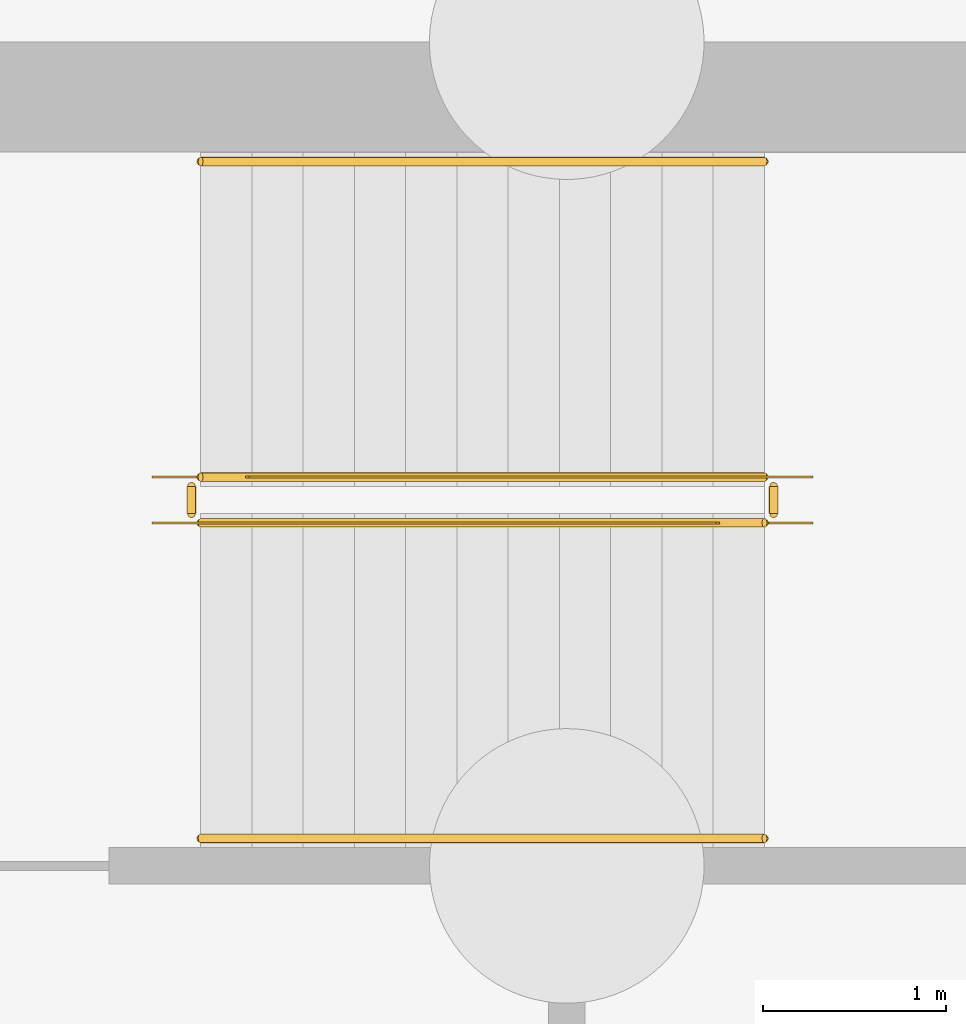
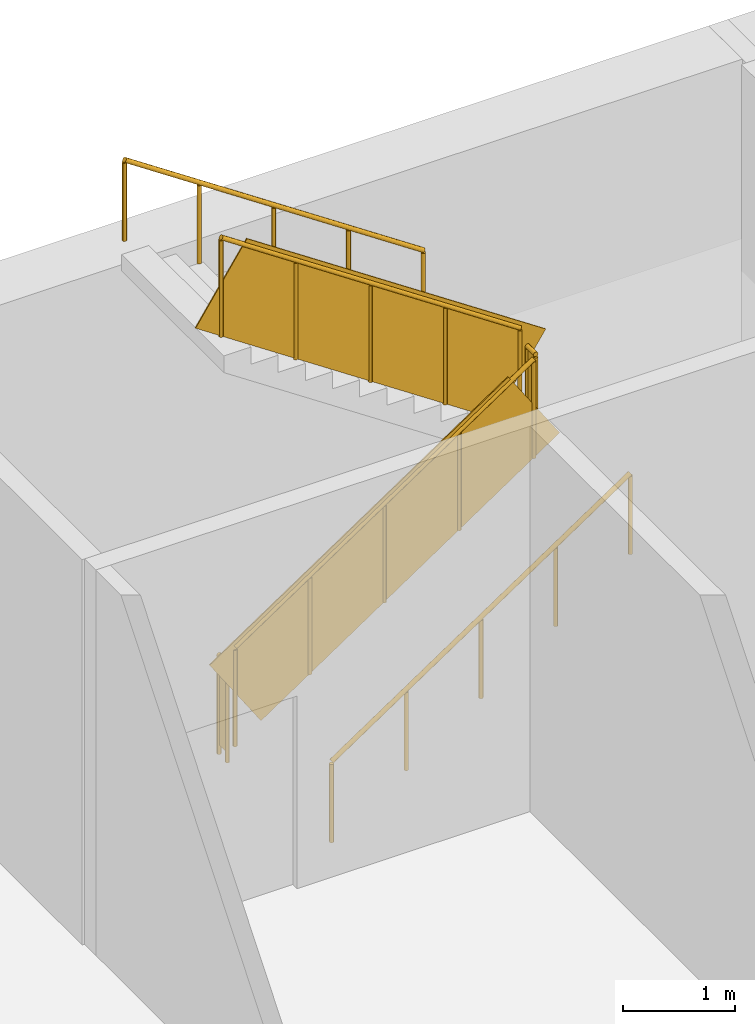
# One storey, part 10 of 12: 6 railings.
"""IFC4 building model written with IfcOpenShell, lengths in metres."""

from ifc_helpers import new_model, si_unit, direction, frame, origin, origin_2d, place, context, subcontext, project, spatial, rectangle, circle, extrude, material, type_object, element, save


model = new_model("IFC4")

# Units and contexts
model_context = context("Model", 3, precision=1e-05, world=origin(), true_north=direction((0.0, 1.0)))
body_context = subcontext(model_context, "Body", "Model", "MODEL_VIEW")
ifc_project = project(units=[si_unit("LENGTHUNIT", "METRE"), si_unit("AREAUNIT", "SQUARE_METRE"), si_unit("VOLUMEUNIT", "CUBIC_METRE"), si_unit("PLANEANGLEUNIT", "RADIAN"), si_unit("MASSUNIT", "GRAM", prefix="KILO")], contexts=[model_context])

# Site, building, storey
site_placement = place(None, origin())
site = spatial("IfcSite", under=ifc_project, at=site_placement, CompositionType="ELEMENT")
building_placement = place(site_placement, origin())
building = spatial("IfcBuilding", under=site, at=building_placement, Name="Dilmun Exchange Tower", CompositionType="ELEMENT")
storey_placement = place(building_placement, frame((0.0, 0.0, -9.0)))
storey = spatial("IfcBuildingStorey", under=building, at=storey_placement, Name="B2", CompositionType="ELEMENT", Elevation=-9.0)

# Railings
ifc_material_1 = material(Name="Guard 1100")
railing_type_1 = type_object("IfcRailingType", Name="Guard 1100", PredefinedType="GUARDRAIL", material=ifc_material_1)
railing_1_placement = place(storey_placement, frame((-24.5, 33.3740234375, 0.1875)))
element("IfcRailing", 1, at=railing_1_placement, inside=storey, type_object=railing_type_1, Name="B2 PS1 stair guard 1", PredefinedType="GUARDRAIL", context=body_context, shape_type="SweptSolid", body=[
    extrude(circle(Radius=0.02392578125, at=origin_2d()), frame((0.0, 0.0, 1.076171875), z_axis=(0.830913701846, 0.0, 0.55640131208), x_axis=(0.0, 1.0, 0.0)), (0.0, 0.0, 1.0), 3.706787109375),
    extrude(rectangle(XDim=0.011962890625, YDim=0.951904296875, at=origin_2d()), frame((0.0, 0.0, 0.576171875), z_axis=(0.830913701846, 0.0, 0.55640131208), x_axis=(0.0, 1.0, 0.0)), (0.0, 0.0, 1.0), 3.706787109375),
    extrude(circle(Radius=0.02099609375, at=origin_2d()), origin(), (0.0, 0.0, 1.0), 1.052001953125),
    extrude(circle(Radius=0.02099609375, at=origin_2d()), frame((0.77001953125, 0.0, 0.515625)), (0.0, 0.0, 1.0), 1.052001953125),
    extrude(circle(Radius=0.02099609375, at=origin_2d()), frame((1.5400390625, 0.0, 1.03125)), (0.0, 0.0, 1.0), 1.052001953125),
    extrude(circle(Radius=0.02099609375, at=origin_2d()), frame((2.31005859375, 0.0, 1.546875)), (0.0, 0.0, 1.0), 1.052001953125),
    extrude(circle(Radius=0.02099609375, at=origin_2d()), frame((3.080078125, 0.0, 2.0625)), (0.0, 0.0, 1.0), 1.052001953125),
])
railing_2_placement = place(storey_placement, frame((-21.3701171875, 33.424072265625, 2.25)))
element("IfcRailing", 2, at=railing_2_placement, inside=storey, type_object=railing_type_1, Name="B2 PS1 stair guard 2", PredefinedType="GUARDRAIL", context=body_context, shape_type="SweptSolid", body=[
    extrude(circle(Radius=0.02392578125, at=origin_2d()), frame((0.0, 0.0, 1.076171875), z_axis=(0.0, 1.0, 0.0), x_axis=(-1.0, 0.0, 0.0)), (0.0, 0.0, 1.0), 0.14990234375),
    extrude(rectangle(XDim=0.011962890625, YDim=0.951904296875, at=origin_2d()), frame((0.0, 0.0, 0.576171875), z_axis=(0.0, 1.0, 0.0), x_axis=(-1.0, 0.0, 0.0)), (0.0, 0.0, 1.0), 0.14990234375),
    extrude(circle(Radius=0.02099609375, at=origin_2d()), origin(), (0.0, 0.0, 1.0), 1.052001953125),
    extrude(circle(Radius=0.02099609375, at=origin_2d()), frame((0.0, 0.14990234375, 0.0)), (0.0, 0.0, 1.0), 1.052001953125),
])
railing_3_placement = place(storey_placement, frame((-21.419921875, 33.6240234375, 2.4375)))
element("IfcRailing", 3, at=railing_3_placement, inside=storey, type_object=railing_type_1, Name="B2 PS1 stair guard 3", PredefinedType="GUARDRAIL", context=body_context, shape_type="SweptSolid", body=[
    extrude(circle(Radius=0.02392578125, at=origin_2d()), frame((0.0, 0.0, 1.076171875), z_axis=(-0.830913701846, 0.0, 0.55640131208), x_axis=(0.0, -1.0, 0.0)), (0.0, 0.0, 1.0), 3.706787109375),
    extrude(rectangle(XDim=0.011962890625, YDim=0.951904296875, at=origin_2d()), frame((0.0, 0.0, 0.576171875), z_axis=(-0.830913701846, 0.0, 0.55640131208), x_axis=(0.0, -1.0, 0.0)), (0.0, 0.0, 1.0), 3.706787109375),
    extrude(circle(Radius=0.02099609375, at=origin_2d()), origin(), (0.0, 0.0, 1.0), 1.052001953125),
    extrude(circle(Radius=0.02099609375, at=origin_2d()), frame((-0.77001953125, 0.0, 0.515625)), (0.0, 0.0, 1.0), 1.052001953125),
    extrude(circle(Radius=0.02099609375, at=origin_2d()), frame((-1.5400390625, 0.0, 1.03125)), (0.0, 0.0, 1.0), 1.052001953125),
    extrude(circle(Radius=0.02099609375, at=origin_2d()), frame((-2.31005859375, 0.0, 1.546875)), (0.0, 0.0, 1.0), 1.052001953125),
    extrude(circle(Radius=0.02099609375, at=origin_2d()), frame((-3.080078125, 0.0, 2.0625)), (0.0, 0.0, 1.0), 1.052001953125),
])
railing_4_placement = place(storey_placement, frame((-24.550048828125, 33.424072265625, 0.0)))
element("IfcRailing", 4, at=railing_4_placement, inside=storey, type_object=railing_type_1, Name="B2 PS1 stair guard 4", PredefinedType="GUARDRAIL", context=body_context, shape_type="SweptSolid", body=[
    extrude(circle(Radius=0.02392578125, at=origin_2d()), frame((0.0, 0.0, 1.076171875), z_axis=(0.0, 1.0, 0.0), x_axis=(-1.0, 0.0, 0.0)), (0.0, 0.0, 1.0), 0.14990234375),
    extrude(rectangle(XDim=0.011962890625, YDim=0.951904296875, at=origin_2d()), frame((0.0, 0.0, 0.576171875), z_axis=(0.0, 1.0, 0.0), x_axis=(-1.0, 0.0, 0.0)), (0.0, 0.0, 1.0), 0.14990234375),
    extrude(circle(Radius=0.02099609375, at=origin_2d()), origin(), (0.0, 0.0, 1.0), 1.052001953125),
    extrude(circle(Radius=0.02099609375, at=origin_2d()), frame((0.0, 0.14990234375, 0.0)), (0.0, 0.0, 1.0), 1.052001953125),
])
ifc_material_2 = material(Name="Handrail 900")
railing_type_2 = type_object("IfcRailingType", Name="Handrail 900", PredefinedType="HANDRAIL", material=ifc_material_2)
railing_5_placement = place(storey_placement, frame((-24.5, 31.64990234375, 0.1875)))
element("IfcRailing", 5, at=railing_5_placement, inside=storey, type_object=railing_type_2, Name="B2 PS1 stair handrail 1", PredefinedType="HANDRAIL", context=body_context, shape_type="SweptSolid", body=[
    extrude(circle(Radius=0.02392578125, at=origin_2d()), frame((0.0, 0.0, 0.8759765625), z_axis=(0.830913701846, 0.0, 0.55640131208), x_axis=(0.0, 1.0, 0.0)), (0.0, 0.0, 1.0), 3.706787109375),
    extrude(circle(Radius=0.02099609375, at=origin_2d()), origin(), (0.0, 0.0, 1.0), 0.851806640625),
    extrude(circle(Radius=0.02099609375, at=origin_2d()), frame((0.77001953125, 0.0, 0.515625)), (0.0, 0.0, 1.0), 0.851806640625),
    extrude(circle(Radius=0.02099609375, at=origin_2d()), frame((1.5400390625, 0.0, 1.03125)), (0.0, 0.0, 1.0), 0.851806640625),
    extrude(circle(Radius=0.02099609375, at=origin_2d()), frame((2.31005859375, 0.0, 1.546875)), (0.0, 0.0, 1.0), 0.851806640625),
    extrude(circle(Radius=0.02099609375, at=origin_2d()), frame((3.080078125, 0.0, 2.0625)), (0.0, 0.0, 1.0), 0.851806640625),
])
railing_6_placement = place(storey_placement, frame((-21.419921875, 35.347900390625, 2.4375)))
element("IfcRailing", 6, at=railing_6_placement, inside=storey, type_object=railing_type_2, Name="B2 PS1 stair handrail 2", PredefinedType="HANDRAIL", context=body_context, shape_type="SweptSolid", body=[
    extrude(circle(Radius=0.02392578125, at=origin_2d()), frame((0.0, 0.0, 0.8759765625), z_axis=(-0.830913701846, 0.0, 0.55640131208), x_axis=(0.0, -1.0, 0.0)), (0.0, 0.0, 1.0), 3.706787109375),
    extrude(circle(Radius=0.02099609375, at=origin_2d()), origin(), (0.0, 0.0, 1.0), 0.851806640625),
    extrude(circle(Radius=0.02099609375, at=origin_2d()), frame((-0.77001953125, 0.0, 0.515625)), (0.0, 0.0, 1.0), 0.851806640625),
    extrude(circle(Radius=0.02099609375, at=origin_2d()), frame((-1.5400390625, 0.0, 1.03125)), (0.0, 0.0, 1.0), 0.851806640625),
    extrude(circle(Radius=0.02099609375, at=origin_2d()), frame((-2.31005859375, 0.0, 1.546875)), (0.0, 0.0, 1.0), 0.851806640625),
    extrude(circle(Radius=0.02099609375, at=origin_2d()), frame((-3.080078125, 0.0, 2.0625)), (0.0, 0.0, 1.0), 0.851806640625),
])

save(model, "model.ifc")
